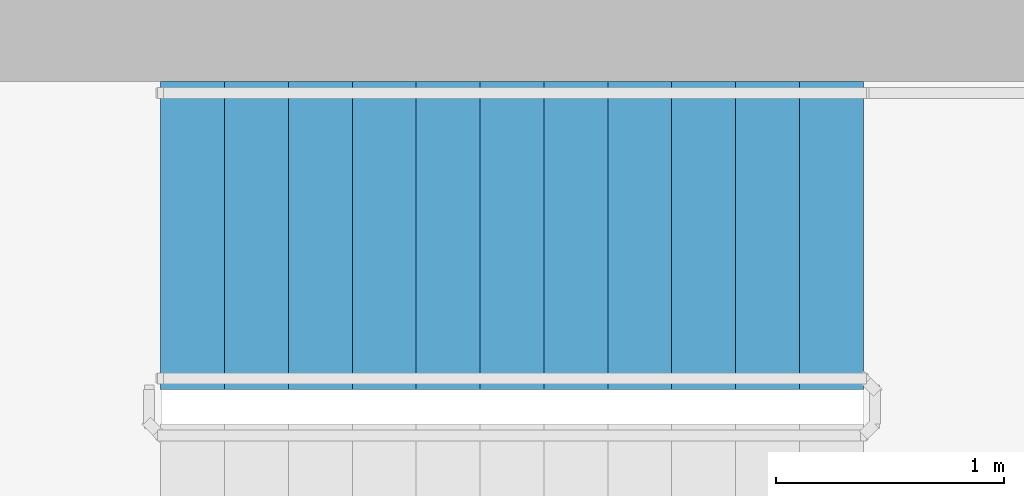
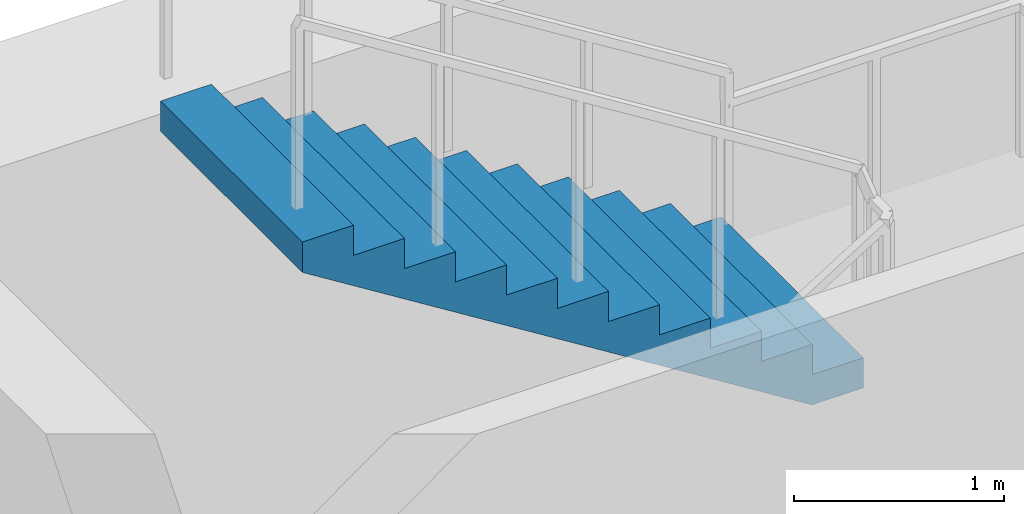
# One storey, part 12 of 16: 1 stair flight, 1 element without a shape of its own.
"""IFC4 building model written with IfcOpenShell, lengths in metres."""

from ifc_helpers import new_model, si_unit, direction, frame, origin, place, context, subcontext, project, spatial, polyline, outline, extrude, material, type_object, element, aggregate, save


model = new_model("IFC4")

# Units and contexts
model_context = context("Model", 3, precision=1e-05, world=origin(), true_north=direction((0.0, 1.0)))
body_context = subcontext(model_context, "Body", "Model", "MODEL_VIEW")
ifc_project = project(units=[si_unit("LENGTHUNIT", "METRE"), si_unit("AREAUNIT", "SQUARE_METRE"), si_unit("VOLUMEUNIT", "CUBIC_METRE"), si_unit("PLANEANGLEUNIT", "RADIAN"), si_unit("MASSUNIT", "GRAM", prefix="KILO")], contexts=[model_context])

# Site, building, storey
site_placement = place(None, origin())
site = spatial("IfcSite", under=ifc_project, at=site_placement, CompositionType="ELEMENT")
building_placement = place(site_placement, origin())
building = spatial("IfcBuilding", under=site, at=building_placement, Name="Perihelion Cross Residences", CompositionType="ELEMENT")
storey_placement = place(building_placement, frame((0.0, 0.0, 290.39990234375)))
storey = spatial("IfcBuildingStorey", under=building, at=storey_placement, Name="L74", CompositionType="ELEMENT", Elevation=290.39990234375)

# Stair, stair flight
ifc_material_1 = material(Name="Concrete C40/50", Category="concrete")
stair_type = type_object("IfcStairType", Name="Exit stair, half-turn", PredefinedType="HALF_TURN_STAIR", material=ifc_material_1)
stair_placement = place(storey_placement, origin())
stair = element("IfcStair", 1, at=stair_placement, inside=storey, type_object=stair_type, Name="L74 East core exit stair 1", PredefinedType="HALF_TURN_STAIR")
ifc_material_2 = material(Name="Concrete C40/50", Category="concrete")
stair_flight_type = type_object("IfcStairFlightType", Name="Exit stair flight", PredefinedType="STRAIGHT", material=ifc_material_2)
stair_flight_placement = place(storey_placement, frame((26.47998046875, 7.425048828125, 2.10009765625), z_axis=(0.0, 0.0, 1.0), x_axis=(-1.0, 0.0, 0.0)))
stair_flight = element("IfcStairFlight", 2, at=stair_flight_placement, type_object=stair_flight_type, Name="ST-E1 flight 2", NumberOfRisers=12, NumberOfTreads=11, PredefinedType="STRAIGHT", RiserHeight=0.175, TreadLength=0.28, context=body_context, shape_type="SweptSolid", body=[
    extrude(outline(polyline([(0.0, 0.0), (0.0, 0.175048828125), (0.280029296875, 0.175048828125), (0.280029296875, 0.35009765625), (0.56005859375, 0.35009765625), (0.56005859375, 0.52490234375), (0.840087890625, 0.52490234375), (0.840087890625, 0.699951171875), (1.1201171875, 0.699951171875), (1.1201171875, 0.875), (1.39990234375, 0.875), (1.39990234375, 1.050048828125), (1.679931640625, 1.050048828125), (1.679931640625, 1.22509765625), (1.9599609375, 1.22509765625), (1.9599609375, 1.39990234375), (2.239990234375, 1.39990234375), (2.239990234375, 1.574951171875), (2.52001953125, 1.574951171875), (2.52001953125, 1.75), (2.800048828125, 1.75), (2.800048828125, 1.925048828125), (3.080078125, 1.925048828125), (3.080078125, 2.10009765625), (3.080078125, 1.748291015625), (0.28271484375, 0.0), (0.0, 0.0)])), frame((0.0, 0.675048828125, 0.0), z_axis=(0.0, -1.0, 0.0), x_axis=(1.0, 0.0, 0.0)), (0.0, 0.0, 1.0), 1.35009765625),
])
aggregate(stair, [stair_flight])

save(model, "model.ifc")
